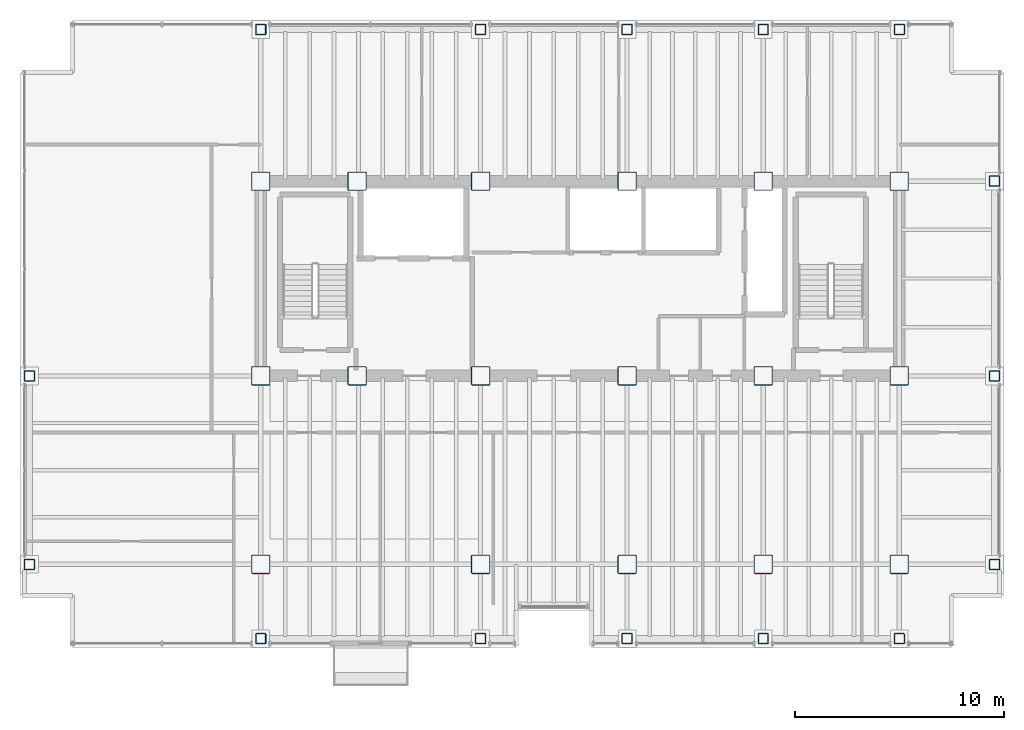
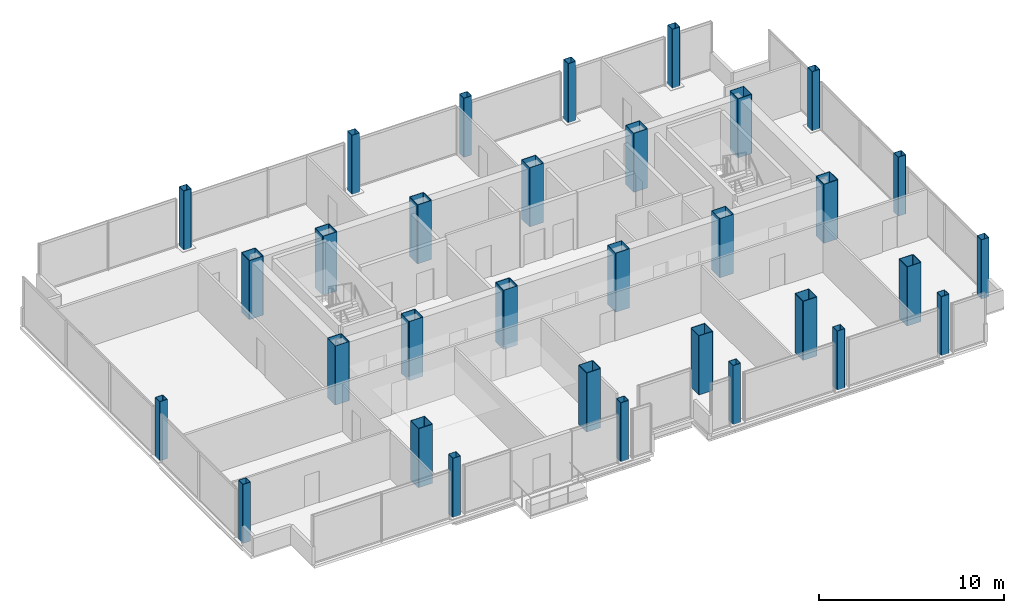
# One storey, part 1 of 18: 32 columns.
"""IFC4 building model written with IfcOpenShell, lengths in metres."""

from ifc_helpers import new_model, si_unit, direction, frame, origin, origin_2d, place, context, subcontext, project, spatial, hollow_rectangle, extrude, material, material_profile, profile_set, type_object, element, save


model = new_model("IFC4")

# Units and contexts
model_context = context("Model", 3, precision=1e-05, world=origin(), true_north=direction((0.0, 1.0)))
body_context = subcontext(model_context, "Body", "Model", "MODEL_VIEW")
ifc_project = project(units=[si_unit("LENGTHUNIT", "METRE"), si_unit("AREAUNIT", "SQUARE_METRE"), si_unit("VOLUMEUNIT", "CUBIC_METRE"), si_unit("PLANEANGLEUNIT", "RADIAN"), si_unit("MASSUNIT", "GRAM", prefix="KILO")], contexts=[model_context])

# Site, building, storey
site_placement = place(None, origin())
site = spatial("IfcSite", under=ifc_project, at=site_placement, CompositionType="ELEMENT")
building_placement = place(site_placement, origin())
building = spatial("IfcBuilding", under=site, at=building_placement, Name="Noeulbin Bourse Tower", CompositionType="ELEMENT")
storey_placement = place(building_placement, frame((0.0, 0.0, 161.699951171875)))
storey = spatial("IfcBuildingStorey", under=building, at=storey_placement, Name="L40", CompositionType="ELEMENT", Elevation=161.699951171875)

# Columns
ifc_material_1 = material(Name="Steel S355", Category="steel")
ifc_material_profile_1 = material_profile(ifc_material_1, hollow_rectangle(XDim=0.5, YDim=0.5, WallThickness=0.02392578125, InnerFilletRadius=0.011962890625, OuterFilletRadius=0.035888671875, at=origin_2d()), Name="BOX-500x500x24", Category="LoadBearing")
ifc_profile_set_1 = profile_set([ifc_material_profile_1], Name="Steel S355")
column_type_1 = type_object("IfcColumnType", Name="COL-PER-Z2", PredefinedType="COLUMN", material=ifc_profile_set_1)
for number, where, z_axis, x_axis, name in (
    (1, (2.449951171875, 20.0, 0.0), (0.0, 0.0, 1.0), (1.0, 0.0, 0.0), "Tower Perimeter Column COL-PER-Z2 01"),
    (2, (2.449951171875, 29.0, 0.0), (0.0, 0.0, 1.0), (1.0, 0.0, 0.0), "Tower Perimeter Column COL-PER-Z2 02"),
    (3, (13.5, 16.449951171875, 0.0), (0.0, 0.0, 1.0), (1.0, 0.0, 0.0), "Tower Perimeter Column COL-PER-Z2 03"),
    (4, (13.5, 45.550048828125, 0.0), (0.0, 0.0, 1.0), (1.0, 0.0, 0.0), "Tower Perimeter Column COL-PER-Z2 04"),
    (5, (24.0, 16.449951171875, 0.0), (0.0, 0.0, 1.0), (1.0, 0.0, 0.0), "Tower Perimeter Column COL-PER-Z2 05"),
    (6, (24.0, 45.550048828125, 0.0), (0.0, 0.0, 1.0), (1.0, 0.0, 0.0), "Tower Perimeter Column COL-PER-Z2 06"),
    (7, (31.0, 16.449951171875, 0.0), (0.0, 0.0, 1.0), (1.0, 0.0, 0.0), "Tower Perimeter Column COL-PER-Z2 07"),
    (8, (31.0, 45.550048828125, 0.0), (0.0, 0.0, 1.0), (1.0, 0.0, 0.0), "Tower Perimeter Column COL-PER-Z2 08"),
    (9, (37.5, 16.449951171875, 0.0), (0.0, 0.0, 1.0), (1.0, 0.0, 0.0), "Tower Perimeter Column COL-PER-Z2 09"),
    (10, (37.5, 45.550048828125, 0.0), (0.0, 0.0, 1.0), (1.0, 0.0, 0.0), "Tower Perimeter Column COL-PER-Z2 10"),
    (11, (44.0, 16.449951171875, 0.0), (0.0, 0.0, 1.0), (1.0, 0.0, 0.0), "Tower Perimeter Column COL-PER-Z2 11"),
    (12, (44.0, 45.550048828125, 0.0), (0.0, 0.0, 1.0), (1.0, 0.0, 0.0), "Tower Perimeter Column COL-PER-Z2 12"),
    (13, (48.550048828125, 20.0, 0.0), (0.0, 0.0, 1.0), (1.0, 0.0, 0.0), "Tower Perimeter Column COL-PER-Z2 13"),
    (14, (48.550048828125, 29.0, 0.0), (0.0, 0.0, 1.0), (1.0, 0.0, 0.0), "Tower Perimeter Column COL-PER-Z2 14"),
    (15, (48.550048828125, 38.300048828125, 0.0), (0.0, 0.0, 1.0), (1.0, 0.0, 0.0), "Tower Perimeter Column COL-PER-Z2 15"),
):
    element("IfcColumn", number, at=place(storey_placement, frame(where, z_axis=z_axis, x_axis=x_axis)), inside=storey, type_object=column_type_1, Name=name, PredefinedType="COLUMN", context=body_context, shape_type="SweptSolid", body=[
        extrude(hollow_rectangle(XDim=0.5, YDim=0.5, WallThickness=0.02392578125, InnerFilletRadius=0.011962890625, OuterFilletRadius=0.035888671875, at=origin_2d()), origin(), (0.0, 0.0, 1.0), 3.900146484375),
    ])
ifc_material_2 = material(Name="Steel S460", Category="steel")
ifc_material_profile_2 = material_profile(ifc_material_2, hollow_rectangle(XDim=0.89990234375, YDim=0.89990234375, WallThickness=0.034912109375, InnerFilletRadius=0.01708984375, OuterFilletRadius=0.052001953125, at=origin_2d()), Name="BOX-900x900x35", Category="LoadBearing")
ifc_profile_set_2 = profile_set([ifc_material_profile_2], Name="Steel S460")
column_type_2 = type_object("IfcColumnType", Name="COL-TRK-Z2", PredefinedType="COLUMN", material=ifc_profile_set_2)
for number, where, z_axis, x_axis, name in (
    (16, (13.5, 29.0, 0.0), (0.0, 0.0, 1.0), (1.0, 0.0, 0.0), "Tower Trunk Mega-Column COL-TRK-Z2 01"),
    (17, (13.5, 38.300048828125, 0.0), (0.0, 0.0, 1.0), (1.0, 0.0, 0.0), "Tower Trunk Mega-Column COL-TRK-Z2 02"),
    (18, (18.10009765625, 29.0, 0.0), (0.0, 0.0, 1.0), (1.0, 0.0, 0.0), "Tower Trunk Mega-Column COL-TRK-Z2 03"),
    (19, (18.10009765625, 38.300048828125, 0.0), (0.0, 0.0, 1.0), (1.0, 0.0, 0.0), "Tower Trunk Mega-Column COL-TRK-Z2 04"),
    (20, (24.0, 29.0, 0.0), (0.0, 0.0, 1.0), (1.0, 0.0, 0.0), "Tower Trunk Mega-Column COL-TRK-Z2 05"),
    (21, (24.0, 38.300048828125, 0.0), (0.0, 0.0, 1.0), (1.0, 0.0, 0.0), "Tower Trunk Mega-Column COL-TRK-Z2 06"),
    (22, (31.0, 29.0, 0.0), (0.0, 0.0, 1.0), (1.0, 0.0, 0.0), "Tower Trunk Mega-Column COL-TRK-Z2 07"),
    (23, (31.0, 38.300048828125, 0.0), (0.0, 0.0, 1.0), (1.0, 0.0, 0.0), "Tower Trunk Mega-Column COL-TRK-Z2 08"),
    (24, (37.5, 29.0, 0.0), (0.0, 0.0, 1.0), (1.0, 0.0, 0.0), "Tower Trunk Mega-Column COL-TRK-Z2 09"),
    (25, (37.5, 38.300048828125, 0.0), (0.0, 0.0, 1.0), (1.0, 0.0, 0.0), "Tower Trunk Mega-Column COL-TRK-Z2 10"),
    (26, (44.0, 29.0, 0.0), (0.0, 0.0, 1.0), (1.0, 0.0, 0.0), "Tower Trunk Mega-Column COL-TRK-Z2 11"),
    (27, (44.0, 38.300048828125, 0.0), (0.0, 0.0, 1.0), (1.0, 0.0, 0.0), "Tower Trunk Mega-Column COL-TRK-Z2 12"),
    (28, (13.5, 20.0, 0.0), (0.0, 0.0, 1.0), (1.0, 0.0, 0.0), "Tower Trunk Mega-Column COL-TRK-Z2 13"),
    (29, (24.0, 20.0, 0.0), (0.0, 0.0, 1.0), (1.0, 0.0, 0.0), "Tower Trunk Mega-Column COL-TRK-Z2 14"),
    (30, (31.0, 20.0, 0.0), (0.0, 0.0, 1.0), (1.0, 0.0, 0.0), "Tower Trunk Mega-Column COL-TRK-Z2 15"),
    (31, (37.5, 20.0, 0.0), (0.0, 0.0, 1.0), (1.0, 0.0, 0.0), "Tower Trunk Mega-Column COL-TRK-Z2 16"),
    (32, (44.0, 20.0, 0.0), (0.0, 0.0, 1.0), (1.0, 0.0, 0.0), "Tower Trunk Mega-Column COL-TRK-Z2 17"),
):
    element("IfcColumn", number, at=place(storey_placement, frame(where, z_axis=z_axis, x_axis=x_axis)), inside=storey, type_object=column_type_2, Name=name, PredefinedType="COLUMN", context=body_context, shape_type="SweptSolid", body=[
        extrude(hollow_rectangle(XDim=0.89990234375, YDim=0.89990234375, WallThickness=0.034912109375, InnerFilletRadius=0.01708984375, OuterFilletRadius=0.052001953125, at=origin_2d()), origin(), (0.0, 0.0, 1.0), 3.900146484375),
    ])

save(model, "model.ifc")
